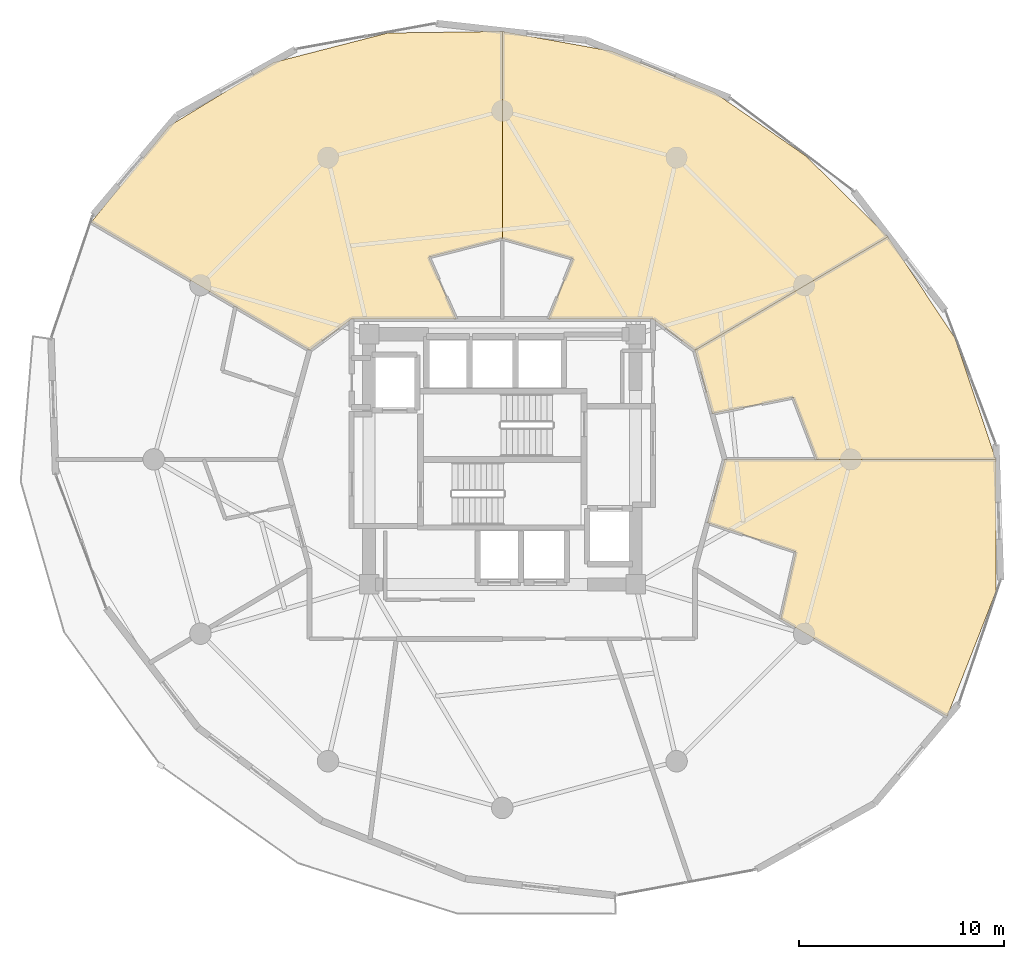
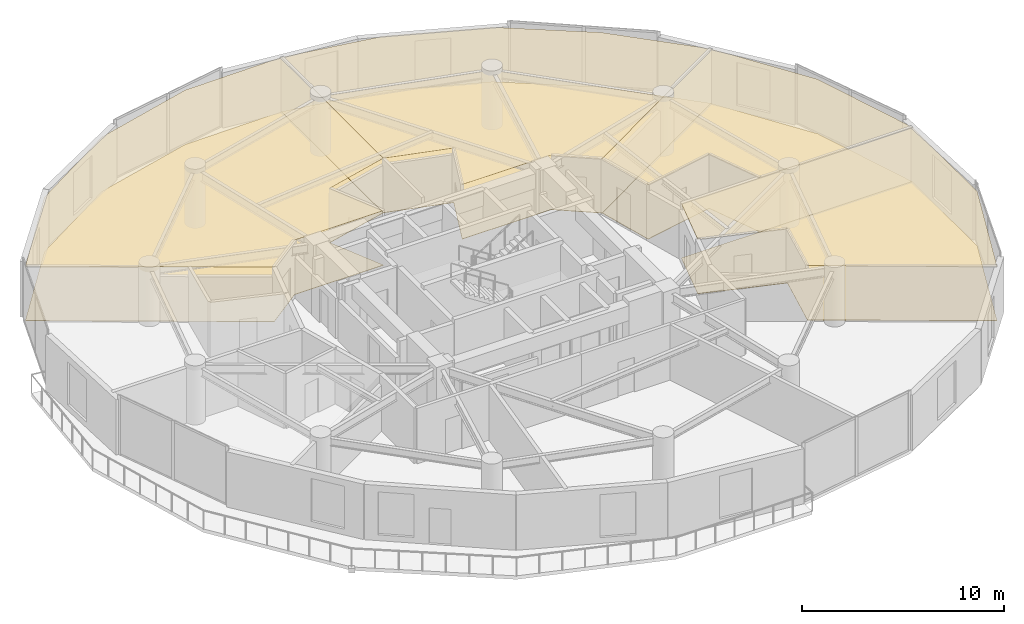
# One storey, part 25 of 25: 8 coverings.
"""IFC4 building model written with IfcOpenShell, lengths in metres."""

from ifc_helpers import new_model, si_unit, direction, frame, origin, place, context, subcontext, project, spatial, polyline, outline, extrude, material, layer, layer_set, type_object, element, save


model = new_model("IFC4")

# Units and contexts
model_context = context("Model", 3, precision=1e-05, world=origin(), true_north=direction((0.0, 1.0)))
body_context = subcontext(model_context, "Body", "Model", "MODEL_VIEW")
ifc_project = project(units=[si_unit("LENGTHUNIT", "METRE"), si_unit("AREAUNIT", "SQUARE_METRE"), si_unit("VOLUMEUNIT", "CUBIC_METRE"), si_unit("PLANEANGLEUNIT", "RADIAN"), si_unit("MASSUNIT", "GRAM", prefix="KILO")], contexts=[model_context])

# Site, building, storey
site_placement = place(None, origin())
site = spatial("IfcSite", under=ifc_project, at=site_placement, CompositionType="ELEMENT")
building_placement = place(site_placement, origin())
building = spatial("IfcBuilding", under=site, at=building_placement, Name="Solvirekh Grand Hotel", CompositionType="ELEMENT")
storey_placement = place(building_placement, frame((0.0, 0.0, 102.60009765625)))
storey = spatial("IfcBuildingStorey", under=building, at=storey_placement, Name="L25", CompositionType="ELEMENT", Elevation=102.60009765625)

# Coverings
ifc_material_1 = material(Name="Acoustic Mineral Ceiling Tile")
ifc_layer_1 = layer(ifc_material_1, 0.02490234375)
ifc_layer_set_1 = layer_set([ifc_layer_1], Name="Acoustic Mineral Ceiling Tile")
covering_type_1 = type_object("IfcCoveringType", Name="Cov_Ceiling_Acoustic", PredefinedType="CEILING", material=ifc_layer_set_1)
covering_1_placement = place(storey_placement, frame((0.0, 0.0, 3.2998046875)))
element("IfcCovering", 1, at=covering_1_placement, inside=storey, type_object=covering_type_1, Name="L25 Panorama Suite 2701 acoustic ceiling", PredefinedType="CEILING", context=body_context, shape_type="SweptSolid", body=[
    extrude(outline(polyline([(0.0, 10.77587890625), (3.462890625, 9.794921875), (2.25, 6.85009765625), (7.35009765625, 6.85009765625), (9.39599609375, 5.324951171875), (18.804931640625, 10.85693359375), (14.801025390625, 14.801025390625), (10.3349609375, 17.90087890625), (5.3349609375, 19.910888671875), (0.0, 20.873046875), (0.0, 10.77587890625)])), origin(), (0.0, 0.0, 1.0), 0.01806640625),
])
covering_2_placement = place(storey_placement, frame((0.0, 0.0, 3.2998046875)))
element("IfcCovering", 2, at=covering_2_placement, inside=storey, type_object=covering_type_1, Name="L25 Panorama Suite 2702 acoustic ceiling", PredefinedType="CEILING", context=body_context, shape_type="SweptSolid", body=[
    extrude(outline(polyline([(-2.25, 6.85009765625), (-3.583984375, 9.864990234375), (0.0, 10.77587890625), (0.0, 20.873046875), (-5.572998046875, 20.798095703125), (-11.174072265625, 19.35400390625), (-16.2548828125, 16.2548828125), (-20.044921875, 11.572998046875), (-9.39599609375, 5.324951171875), (-7.35009765625, 6.85009765625), (-2.25, 6.85009765625)])), origin(), (0.0, 0.0, 1.0), 0.01806640625),
])
covering_3_placement = place(storey_placement, frame((0.0, 0.0, 3.2998046875)))
element("IfcCovering", 3, at=covering_3_placement, inside=storey, type_object=covering_type_1, Name="L25 Deluxe Guestroom 2705 acoustic ceiling", PredefinedType="CEILING", context=body_context, shape_type="SweptSolid", body=[
    extrude(outline(polyline([(14.322021484375, -4.510009765625), (13.580078125, -7.77490234375), (21.701904296875, -12.530029296875), (24.076904296875, -6.451904296875), (24.071044921875, 0.0), (10.85009765625, 0.0), (10.007080078125, -3.089111328125), (14.322021484375, -4.510009765625)])), origin(), (0.0, 0.0, 1.0), 0.01806640625),
])
covering_4_placement = place(storey_placement, frame((0.0, 0.0, 3.2998046875)))
element("IfcCovering", 4, at=covering_4_placement, inside=storey, type_object=covering_type_1, Name="L25 Deluxe Guestroom 2706 acoustic ceiling", PredefinedType="CEILING", context=body_context, shape_type="SweptSolid", body=[
    extrude(outline(polyline([(14.18994140625, 3.02587890625), (15.344970703125, 0.0), (24.071044921875, 0.0), (22.0810546875, 5.916015625), (18.804931640625, 10.85693359375), (9.39599609375, 5.324951171875), (10.239013671875, 2.236083984375), (14.18994140625, 3.02587890625)])), origin(), (0.0, 0.0, 1.0), 0.01806640625),
])
ifc_material_2 = material(Name="Porcelain Stoneware Flooring", Category="masonry")
ifc_layer_2 = layer(ifc_material_2, 0.030029296875)
ifc_layer_set_2 = layer_set([ifc_layer_2], Name="Porcelain Stoneware Flooring")
covering_type_2 = type_object("IfcCoveringType", Name="Cov_Floor_Stone", PredefinedType="FLOORING", material=ifc_layer_set_2)
covering_5_placement = place(storey_placement, origin())
element("IfcCovering", 5, at=covering_5_placement, inside=storey, type_object=covering_type_2, Name="L25 Panorama Suite 2701 polished granite flooring", PredefinedType="FLOORING", context=body_context, shape_type="SweptSolid", body=[
    extrude(outline(polyline([(0.0, 10.77587890625), (3.462890625, 9.794921875), (2.25, 6.85009765625), (7.35009765625, 6.85009765625), (9.39599609375, 5.324951171875), (18.804931640625, 10.85693359375), (14.801025390625, 14.801025390625), (10.3349609375, 17.90087890625), (5.3349609375, 19.910888671875), (0.0, 20.873046875), (0.0, 10.77587890625)])), origin(), (0.0, 0.0, 1.0), 0.02001953125),
])
covering_6_placement = place(storey_placement, origin())
element("IfcCovering", 6, at=covering_6_placement, inside=storey, type_object=covering_type_2, Name="L25 Panorama Suite 2702 polished granite flooring", PredefinedType="FLOORING", context=body_context, shape_type="SweptSolid", body=[
    extrude(outline(polyline([(-2.25, 6.85009765625), (-3.583984375, 9.864990234375), (0.0, 10.77587890625), (0.0, 20.873046875), (-5.572998046875, 20.798095703125), (-11.174072265625, 19.35400390625), (-16.2548828125, 16.2548828125), (-20.044921875, 11.572998046875), (-9.39599609375, 5.324951171875), (-7.35009765625, 6.85009765625), (-2.25, 6.85009765625)])), origin(), (0.0, 0.0, 1.0), 0.02001953125),
])
covering_7_placement = place(storey_placement, origin())
element("IfcCovering", 7, at=covering_7_placement, inside=storey, type_object=covering_type_2, Name="L25 Deluxe Guestroom 2705 polished granite flooring", PredefinedType="FLOORING", context=body_context, shape_type="SweptSolid", body=[
    extrude(outline(polyline([(14.322021484375, -4.510009765625), (13.580078125, -7.77490234375), (21.701904296875, -12.530029296875), (24.076904296875, -6.451904296875), (24.071044921875, 0.0), (10.85009765625, 0.0), (10.007080078125, -3.089111328125), (14.322021484375, -4.510009765625)])), origin(), (0.0, 0.0, 1.0), 0.02001953125),
])
covering_8_placement = place(storey_placement, origin())
element("IfcCovering", 8, at=covering_8_placement, inside=storey, type_object=covering_type_2, Name="L25 Deluxe Guestroom 2706 polished granite flooring", PredefinedType="FLOORING", context=body_context, shape_type="SweptSolid", body=[
    extrude(outline(polyline([(14.18994140625, 3.02587890625), (15.344970703125, 0.0), (24.071044921875, 0.0), (22.0810546875, 5.916015625), (18.804931640625, 10.85693359375), (9.39599609375, 5.324951171875), (10.239013671875, 2.236083984375), (14.18994140625, 3.02587890625)])), origin(), (0.0, 0.0, 1.0), 0.02001953125),
])

save(model, "model.ifc")
